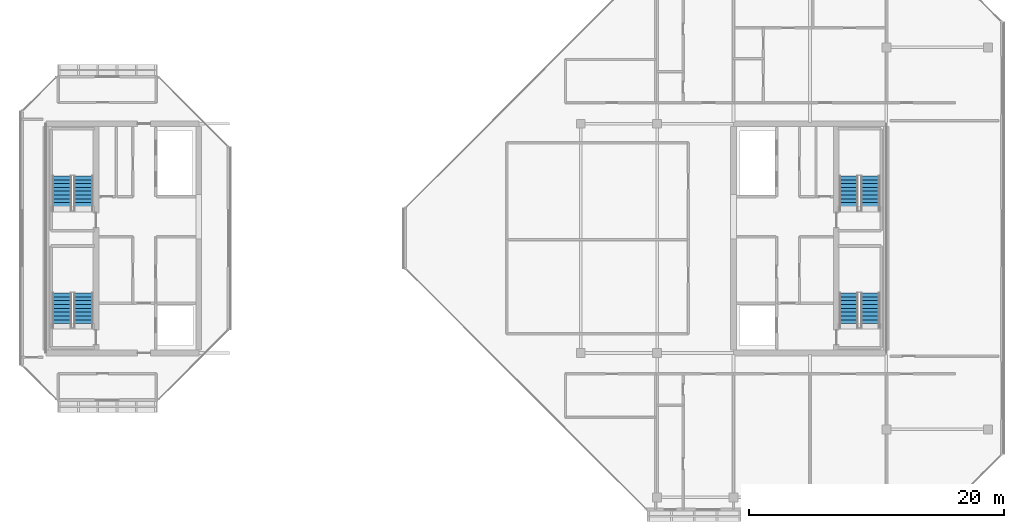
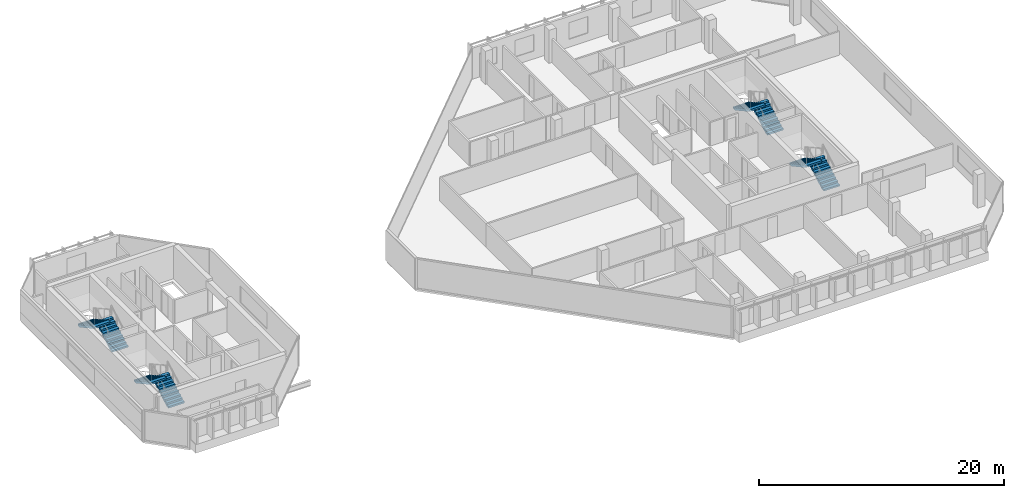
# One storey, part 25 of 28: 8 stair flights, 4 elements without a shape of their own.
"""IFC4 building model written with IfcOpenShell, lengths in metres."""

from ifc_helpers import new_model, si_unit, direction, frame, origin, place, context, subcontext, project, spatial, polyline, outline, extrude, material, type_object, element, aggregate, save


model = new_model("IFC4")

# Units and contexts
model_context = context("Model", 3, precision=1e-05, world=origin(), true_north=direction((0.0, 1.0)))
body_context = subcontext(model_context, "Body", "Model", "MODEL_VIEW")
ifc_project = project(units=[si_unit("LENGTHUNIT", "METRE"), si_unit("AREAUNIT", "SQUARE_METRE"), si_unit("VOLUMEUNIT", "CUBIC_METRE"), si_unit("PLANEANGLEUNIT", "RADIAN"), si_unit("MASSUNIT", "GRAM", prefix="KILO")], contexts=[model_context])

# Site, building, storey
site_placement = place(None, origin())
site = spatial("IfcSite", under=ifc_project, at=site_placement, CompositionType="ELEMENT")
building_placement = place(site_placement, origin())
building = spatial("IfcBuilding", under=site, at=building_placement, Name="Tanjung Sevakor Pilgrim Tower", CompositionType="ELEMENT")
storey_placement = place(building_placement, frame((0.0, 0.0, 239.25)))
storey = spatial("IfcBuildingStorey", under=building, at=storey_placement, Name="L67", CompositionType="ELEMENT", Elevation=239.25)

# Stair, stair flights
ifc_material_1 = material(Name="Concrete C40/50", Category="concrete")
stair_type = type_object("IfcStairType", Name="STAIR-ST-CR150", PredefinedType="HALF_TURN_STAIR", material=ifc_material_1)
stair_1_placement = place(storey_placement, origin())
stair_1 = element("IfcStair", 1, at=stair_1_placement, inside=storey, type_object=stair_type, Name="L67 West Core Exit Stair 1", PredefinedType="HALF_TURN_STAIR")
ifc_material_2 = material(Name="Concrete C40/50", Category="concrete")
stair_flight_type = type_object("IfcStairFlightType", Name="FLIGHT-ST-CR150", PredefinedType="STRAIGHT", material=ifc_material_2)
stair_flight_1_placement = place(storey_placement, frame((26.949951171875, 26.60009765625, 0.0), z_axis=(0.0, 0.0, 1.0), x_axis=(0.0, 1.0, 0.0)))
stair_flight_1 = element("IfcStairFlight", 2, at=stair_flight_1_placement, type_object=stair_flight_type, Name="TS-W1 flight 1", NumberOfRisers=10, NumberOfTreads=9, PredefinedType="STRAIGHT", RiserHeight=0.165, TreadLength=0.3, context=body_context, shape_type="SweptSolid", body=[
    extrude(outline(polyline([(0.0, 0.0), (0.0, 0.1650390625), (0.300048828125, 0.1650390625), (0.300048828125, 0.330078125), (0.60009765625, 0.330078125), (0.60009765625, 0.4951171875), (0.89990234375, 0.4951171875), (0.89990234375, 0.659912109375), (1.199951171875, 0.659912109375), (1.199951171875, 0.824951171875), (1.5, 0.824951171875), (1.5, 0.989990234375), (1.800048828125, 0.989990234375), (1.800048828125, 1.155029296875), (2.10009765625, 1.155029296875), (2.10009765625, 1.320068359375), (2.39990234375, 1.320068359375), (2.39990234375, 1.485107421875), (2.699951171875, 1.485107421875), (2.699951171875, 1.64990234375), (2.699951171875, 1.302490234375), (0.331787109375, 0.0), (0.0, 0.0)])), frame((0.0, 0.75, 0.0), z_axis=(0.0, -1.0, 0.0), x_axis=(1.0, 0.0, 0.0)), (0.0, 0.0, 1.0), 1.5),
])
stair_flight_2_placement = place(storey_placement, frame((25.25, 29.300048828125, 1.64990234375), z_axis=(0.0, 0.0, 1.0), x_axis=(0.0, -1.0, 0.0)))
stair_flight_2 = element("IfcStairFlight", 3, at=stair_flight_2_placement, type_object=stair_flight_type, Name="TS-W1 flight 2", NumberOfRisers=10, NumberOfTreads=9, PredefinedType="STRAIGHT", RiserHeight=0.165, TreadLength=0.3, context=body_context, shape_type="SweptSolid", body=[
    extrude(outline(polyline([(0.0, 0.0), (0.0, 0.1650390625), (0.300048828125, 0.1650390625), (0.300048828125, 0.330078125), (0.60009765625, 0.330078125), (0.60009765625, 0.4951171875), (0.89990234375, 0.4951171875), (0.89990234375, 0.659912109375), (1.199951171875, 0.659912109375), (1.199951171875, 0.824951171875), (1.5, 0.824951171875), (1.5, 0.989990234375), (1.800048828125, 0.989990234375), (1.800048828125, 1.155029296875), (2.10009765625, 1.155029296875), (2.10009765625, 1.320068359375), (2.39990234375, 1.320068359375), (2.39990234375, 1.485107421875), (2.699951171875, 1.485107421875), (2.699951171875, 1.64990234375), (2.699951171875, 1.302490234375), (0.331787109375, 0.0), (0.0, 0.0)])), frame((0.0, 0.75, 0.0), z_axis=(0.0, -1.0, 0.0), x_axis=(1.0, 0.0, 0.0)), (0.0, 0.0, 1.0), 1.5),
])
aggregate(stair_1, [stair_flight_1, stair_flight_2])

stair_2_placement = place(storey_placement, origin())
stair_2 = element("IfcStair", 4, at=stair_2_placement, inside=storey, type_object=stair_type, Name="L67 West Core Exit Stair 2", PredefinedType="HALF_TURN_STAIR")
stair_flight_3_placement = place(storey_placement, frame((26.949951171875, 35.800048828125, 0.0), z_axis=(0.0, 0.0, 1.0), x_axis=(0.0, 1.0, 0.0)))
stair_flight_3 = element("IfcStairFlight", 5, at=stair_flight_3_placement, type_object=stair_flight_type, Name="TS-W2 flight 1", NumberOfRisers=10, NumberOfTreads=9, PredefinedType="STRAIGHT", RiserHeight=0.165, TreadLength=0.3, context=body_context, shape_type="SweptSolid", body=[
    extrude(outline(polyline([(0.0, 0.0), (0.0, 0.1650390625), (0.300048828125, 0.1650390625), (0.300048828125, 0.330078125), (0.60009765625, 0.330078125), (0.60009765625, 0.4951171875), (0.89990234375, 0.4951171875), (0.89990234375, 0.659912109375), (1.199951171875, 0.659912109375), (1.199951171875, 0.824951171875), (1.5, 0.824951171875), (1.5, 0.989990234375), (1.800048828125, 0.989990234375), (1.800048828125, 1.155029296875), (2.10009765625, 1.155029296875), (2.10009765625, 1.320068359375), (2.39990234375, 1.320068359375), (2.39990234375, 1.485107421875), (2.699951171875, 1.485107421875), (2.699951171875, 1.64990234375), (2.699951171875, 1.302490234375), (0.331787109375, 0.0), (0.0, 0.0)])), frame((0.0, 0.75, 0.0), z_axis=(0.0, -1.0, 0.0), x_axis=(1.0, 0.0, 0.0)), (0.0, 0.0, 1.0), 1.5),
])
stair_flight_4_placement = place(storey_placement, frame((25.25, 38.5, 1.64990234375), z_axis=(0.0, 0.0, 1.0), x_axis=(0.0, -1.0, 0.0)))
stair_flight_4 = element("IfcStairFlight", 6, at=stair_flight_4_placement, type_object=stair_flight_type, Name="TS-W2 flight 2", NumberOfRisers=10, NumberOfTreads=9, PredefinedType="STRAIGHT", RiserHeight=0.165, TreadLength=0.3, context=body_context, shape_type="SweptSolid", body=[
    extrude(outline(polyline([(0.0, 0.0), (0.0, 0.1650390625), (0.300048828125, 0.1650390625), (0.300048828125, 0.330078125), (0.60009765625, 0.330078125), (0.60009765625, 0.4951171875), (0.89990234375, 0.4951171875), (0.89990234375, 0.659912109375), (1.199951171875, 0.659912109375), (1.199951171875, 0.824951171875), (1.5, 0.824951171875), (1.5, 0.989990234375), (1.800048828125, 0.989990234375), (1.800048828125, 1.155029296875), (2.10009765625, 1.155029296875), (2.10009765625, 1.320068359375), (2.39990234375, 1.320068359375), (2.39990234375, 1.485107421875), (2.699951171875, 1.485107421875), (2.699951171875, 1.64990234375), (2.699951171875, 1.302490234375), (0.331787109375, 0.0), (0.0, 0.0)])), frame((0.0, 0.75, 0.0), z_axis=(0.0, -1.0, 0.0), x_axis=(1.0, 0.0, 0.0)), (0.0, 0.0, 1.0), 1.5),
])
aggregate(stair_2, [stair_flight_3, stair_flight_4])

stair_3_placement = place(storey_placement, origin())
stair_3 = element("IfcStair", 7, at=stair_3_placement, inside=storey, type_object=stair_type, Name="L67 East Core Exit Stair 1", PredefinedType="HALF_TURN_STAIR")
stair_flight_5_placement = place(storey_placement, frame((88.75, 26.60009765625, 0.0), z_axis=(0.0, 0.0, 1.0), x_axis=(0.0, 1.0, 0.0)))
stair_flight_5 = element("IfcStairFlight", 8, at=stair_flight_5_placement, type_object=stair_flight_type, Name="TS-E1 flight 1", NumberOfRisers=10, NumberOfTreads=9, PredefinedType="STRAIGHT", RiserHeight=0.165, TreadLength=0.3, context=body_context, shape_type="SweptSolid", body=[
    extrude(outline(polyline([(0.0, 0.0), (0.0, 0.1650390625), (0.300048828125, 0.1650390625), (0.300048828125, 0.330078125), (0.60009765625, 0.330078125), (0.60009765625, 0.4951171875), (0.89990234375, 0.4951171875), (0.89990234375, 0.659912109375), (1.199951171875, 0.659912109375), (1.199951171875, 0.824951171875), (1.5, 0.824951171875), (1.5, 0.989990234375), (1.800048828125, 0.989990234375), (1.800048828125, 1.155029296875), (2.10009765625, 1.155029296875), (2.10009765625, 1.320068359375), (2.39990234375, 1.320068359375), (2.39990234375, 1.485107421875), (2.699951171875, 1.485107421875), (2.699951171875, 1.64990234375), (2.699951171875, 1.302490234375), (0.331787109375, 0.0), (0.0, 0.0)])), frame((0.0, 0.75, 0.0), z_axis=(0.0, -1.0, 0.0), x_axis=(1.0, 0.0, 0.0)), (0.0, 0.0, 1.0), 1.5),
])
stair_flight_6_placement = place(storey_placement, frame((87.050048828125, 29.300048828125, 1.64990234375), z_axis=(0.0, 0.0, 1.0), x_axis=(0.0, -1.0, 0.0)))
stair_flight_6 = element("IfcStairFlight", 9, at=stair_flight_6_placement, type_object=stair_flight_type, Name="TS-E1 flight 2", NumberOfRisers=10, NumberOfTreads=9, PredefinedType="STRAIGHT", RiserHeight=0.165, TreadLength=0.3, context=body_context, shape_type="SweptSolid", body=[
    extrude(outline(polyline([(0.0, 0.0), (0.0, 0.1650390625), (0.300048828125, 0.1650390625), (0.300048828125, 0.330078125), (0.60009765625, 0.330078125), (0.60009765625, 0.4951171875), (0.89990234375, 0.4951171875), (0.89990234375, 0.659912109375), (1.199951171875, 0.659912109375), (1.199951171875, 0.824951171875), (1.5, 0.824951171875), (1.5, 0.989990234375), (1.800048828125, 0.989990234375), (1.800048828125, 1.155029296875), (2.10009765625, 1.155029296875), (2.10009765625, 1.320068359375), (2.39990234375, 1.320068359375), (2.39990234375, 1.485107421875), (2.699951171875, 1.485107421875), (2.699951171875, 1.64990234375), (2.699951171875, 1.302490234375), (0.331787109375, 0.0), (0.0, 0.0)])), frame((0.0, 0.75, 0.0), z_axis=(0.0, -1.0, 0.0), x_axis=(1.0, 0.0, 0.0)), (0.0, 0.0, 1.0), 1.5),
])
aggregate(stair_3, [stair_flight_5, stair_flight_6])

stair_4_placement = place(storey_placement, origin())
stair_4 = element("IfcStair", 10, at=stair_4_placement, inside=storey, type_object=stair_type, Name="L67 East Core Exit Stair 2", PredefinedType="HALF_TURN_STAIR")
stair_flight_7_placement = place(storey_placement, frame((88.75, 35.800048828125, 0.0), z_axis=(0.0, 0.0, 1.0), x_axis=(0.0, 1.0, 0.0)))
stair_flight_7 = element("IfcStairFlight", 11, at=stair_flight_7_placement, type_object=stair_flight_type, Name="TS-E2 flight 1", NumberOfRisers=10, NumberOfTreads=9, PredefinedType="STRAIGHT", RiserHeight=0.165, TreadLength=0.3, context=body_context, shape_type="SweptSolid", body=[
    extrude(outline(polyline([(0.0, 0.0), (0.0, 0.1650390625), (0.300048828125, 0.1650390625), (0.300048828125, 0.330078125), (0.60009765625, 0.330078125), (0.60009765625, 0.4951171875), (0.89990234375, 0.4951171875), (0.89990234375, 0.659912109375), (1.199951171875, 0.659912109375), (1.199951171875, 0.824951171875), (1.5, 0.824951171875), (1.5, 0.989990234375), (1.800048828125, 0.989990234375), (1.800048828125, 1.155029296875), (2.10009765625, 1.155029296875), (2.10009765625, 1.320068359375), (2.39990234375, 1.320068359375), (2.39990234375, 1.485107421875), (2.699951171875, 1.485107421875), (2.699951171875, 1.64990234375), (2.699951171875, 1.302490234375), (0.331787109375, 0.0), (0.0, 0.0)])), frame((0.0, 0.75, 0.0), z_axis=(0.0, -1.0, 0.0), x_axis=(1.0, 0.0, 0.0)), (0.0, 0.0, 1.0), 1.5),
])
stair_flight_8_placement = place(storey_placement, frame((87.050048828125, 38.5, 1.64990234375), z_axis=(0.0, 0.0, 1.0), x_axis=(0.0, -1.0, 0.0)))
stair_flight_8 = element("IfcStairFlight", 12, at=stair_flight_8_placement, type_object=stair_flight_type, Name="TS-E2 flight 2", NumberOfRisers=10, NumberOfTreads=9, PredefinedType="STRAIGHT", RiserHeight=0.165, TreadLength=0.3, context=body_context, shape_type="SweptSolid", body=[
    extrude(outline(polyline([(0.0, 0.0), (0.0, 0.1650390625), (0.300048828125, 0.1650390625), (0.300048828125, 0.330078125), (0.60009765625, 0.330078125), (0.60009765625, 0.4951171875), (0.89990234375, 0.4951171875), (0.89990234375, 0.659912109375), (1.199951171875, 0.659912109375), (1.199951171875, 0.824951171875), (1.5, 0.824951171875), (1.5, 0.989990234375), (1.800048828125, 0.989990234375), (1.800048828125, 1.155029296875), (2.10009765625, 1.155029296875), (2.10009765625, 1.320068359375), (2.39990234375, 1.320068359375), (2.39990234375, 1.485107421875), (2.699951171875, 1.485107421875), (2.699951171875, 1.64990234375), (2.699951171875, 1.302490234375), (0.331787109375, 0.0), (0.0, 0.0)])), frame((0.0, 0.75, 0.0), z_axis=(0.0, -1.0, 0.0), x_axis=(1.0, 0.0, 0.0)), (0.0, 0.0, 1.0), 1.5),
])
aggregate(stair_4, [stair_flight_7, stair_flight_8])

save(model, "model.ifc")
